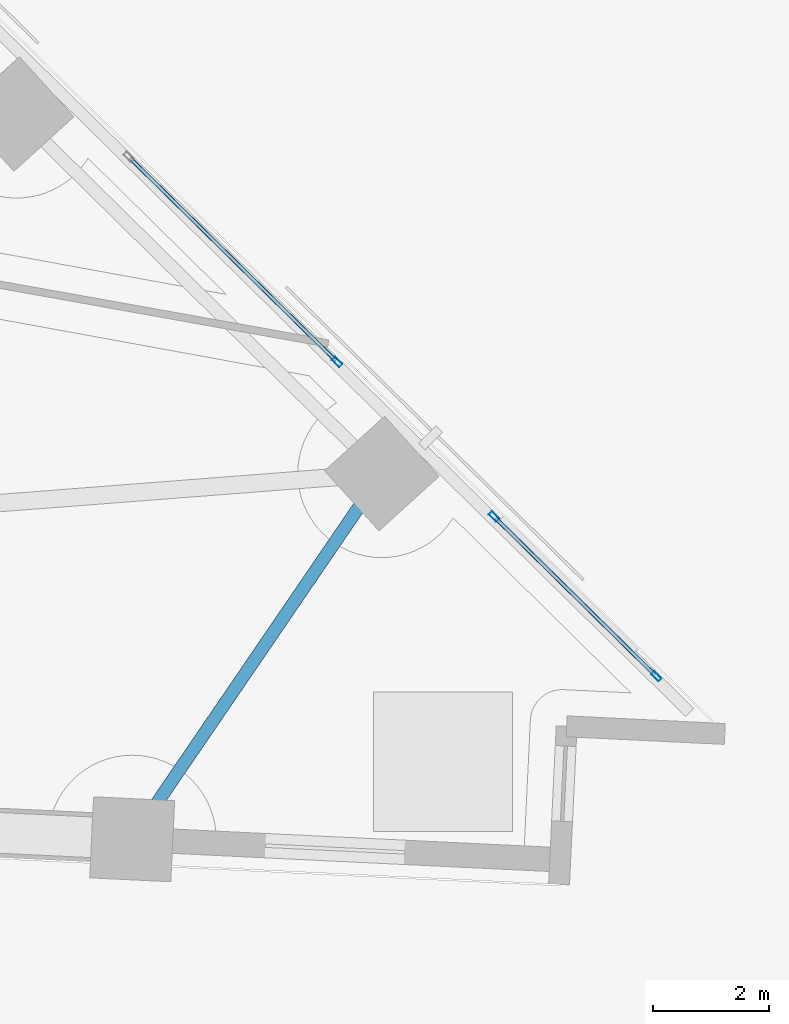
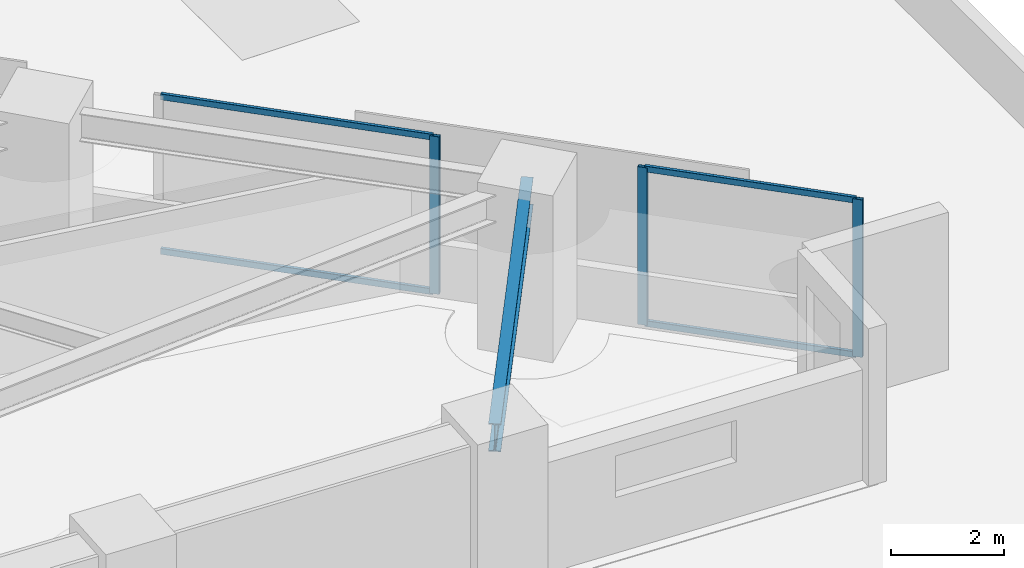
# One storey, part 5 of 19: 7 members, 1 beam, 2 elements without a shape of their own.
"""IFC4 building model written with IfcOpenShell, lengths in metres."""

import ifcopenshell
import ifcopenshell.guid

model = None  # the IFC model being written
_history = None  # IfcOwnerHistory: only IFC2X3 demands one
_inside = {}  # id of a spatial element -> (the spatial element, [elements in it])
_under = {}  # id of a project, library or spatial element -> (it, [spatial elements below it])
_declared = {}  # id of a project -> (the project, [libraries it declares])
_typed = {}  # id of a type object -> (the type object, [elements of that type])
_made_of = {}  # id of a material, layer set ... -> (it, [elements and type objects made of it])


def new_model(schema):
    """Start an empty IFC model of exactly this schema.

    Asked for "IFC4X3", IfcOpenShell would pick the latest addendum, in which some entities
    have other attributes; the version numbers below select the first issue.
    IFC2X3 requires an IfcOwnerHistory on every rooted entity: one is made here for all.
    """
    global model, _history
    if schema == "IFC4X3":
        model = ifcopenshell.file(schema_version=(4, 3, 0, 0))
    else:
        model = ifcopenshell.file(schema=schema)
    _inside.clear()
    _under.clear()
    _declared.clear()
    _typed.clear()
    _made_of.clear()
    _history = None
    if model.schema == "IFC2X3":
        org = make("IfcOrganization", Name="unknown")
        user = make(
            "IfcPersonAndOrganization",
            ThePerson=make("IfcPerson", FamilyName="unknown"),
            TheOrganization=org,
        )
        app = make(
            "IfcApplication",
            ApplicationDeveloper=org,
            Version="unknown",
            ApplicationFullName="unknown",
            ApplicationIdentifier="unknown",
        )
        _history = make(
            "IfcOwnerHistory",
            OwningUser=user,
            OwningApplication=app,
            ChangeAction="ADDED",
            CreationDate=0,
        )
    return model


def make(cls, **values):
    """One entity of the class cls with the attributes given. An attribute that is None is left unset."""
    return model.create_entity(
        cls, **{name: value for name, value in values.items() if value is not None}
    )


def rooted(cls, **values):
    """An entity with a GlobalId (a new one), such as an element, a storey or a relation."""
    return make(cls, GlobalId=ifcopenshell.guid.new(), OwnerHistory=_history, **values)


def si_unit(unit_type, name, prefix=None):
    """IfcSIUnit, for example si_unit("LENGTHUNIT", "METRE", prefix="MILLI")."""
    return make("IfcSIUnit", UnitType=unit_type, Prefix=prefix, Name=name)


def assignment(units):
    """IfcUnitAssignment: the units of a project."""
    return None if units is None else make("IfcUnitAssignment", Units=units)


def point(xyz):
    """IfcCartesianPoint."""
    return None if xyz is None else make("IfcCartesianPoint", Coordinates=xyz)


def direction(xyz):
    """IfcDirection."""
    return None if xyz is None else make("IfcDirection", DirectionRatios=xyz)


def frame(location, z_axis=None, x_axis=None):
    """IfcAxis2Placement3D, a coordinate frame: its origin and axes. An axis left out is left unset."""
    return make(
        "IfcAxis2Placement3D",
        Location=point(location),
        Axis=direction(z_axis),
        RefDirection=direction(x_axis),
    )


def frame_2d(location, x_axis=None):
    """IfcAxis2Placement2D, a coordinate frame in the plane: its origin and x axis."""
    return make(
        "IfcAxis2Placement2D", Location=point(location), RefDirection=direction(x_axis)
    )


def origin():
    """The frame at (0, 0, 0) with its axes left unset."""
    return frame((0.0, 0.0, 0.0))


def origin_2d():
    """The frame at (0, 0) in the plane with its x axis left unset."""
    return frame_2d((0.0, 0.0))


def place(relative_to, where):
    """IfcLocalPlacement: puts the frame where relative to a parent placement (None: the world)."""
    return make(
        "IfcLocalPlacement", PlacementRelTo=relative_to, RelativePlacement=where
    )


def context(
    kind, dimensions, precision=None, world=None, true_north=None, identifier=None
):
    """IfcGeometricRepresentationContext, for example the 3D "Model" context."""
    return make(
        "IfcGeometricRepresentationContext",
        ContextIdentifier=identifier,
        ContextType=kind,
        CoordinateSpaceDimension=dimensions,
        Precision=precision,
        WorldCoordinateSystem=world,
        TrueNorth=true_north,
    )


def subcontext(parent, identifier, kind, view, scale=None):
    """IfcGeometricRepresentationSubContext, for example "Body" below "Model"."""
    return make(
        "IfcGeometricRepresentationSubContext",
        ContextIdentifier=identifier,
        ContextType=kind,
        ParentContext=parent,
        TargetScale=scale,
        TargetView=view,
    )


def project(units=None, contexts=None):
    """IfcProject with its units and contexts."""
    return rooted(
        "IfcProject",
        Name="project",
        RepresentationContexts=contexts,
        UnitsInContext=assignment(units),
    )


def spatial(cls, under=None, at=None, **own):
    """A site, building, storey or space (cls), placed at a placement, below another one or the project."""
    s = rooted(cls, ObjectPlacement=at, **own)
    if under is not None:
        _under.setdefault(under.id(), (under, []))[1].append(s)
    return s


def profile(cls, at=None, kind="AREA", **sizes):
    """A parametric profile (cls). Its sizes go by their IFC names, for example OverallWidth=200.0."""
    return make(cls, ProfileType=kind, Position=at, **sizes)


def hollow_rectangle(**sizes):
    """IfcRectangleHollowProfileDef."""
    return profile("IfcRectangleHollowProfileDef", **sizes)


def i_section(**sizes):
    """IfcIShapeProfileDef."""
    return profile("IfcIShapeProfileDef", **sizes)


def extrude(swept, where, along, depth):
    """IfcExtrudedAreaSolid: the profile swept, set in the frame where, extruded along a direction by depth."""
    return make(
        "IfcExtrudedAreaSolid",
        SweptArea=swept,
        Position=where,
        ExtrudedDirection=direction(along),
        Depth=depth,
    )


def shape(context_of_items, identifier, shape_type, items):
    """IfcShapeRepresentation: the items that make up one representation, for example the "Body"."""
    return make(
        "IfcShapeRepresentation",
        ContextOfItems=context_of_items,
        RepresentationIdentifier=identifier,
        RepresentationType=shape_type,
        Items=items,
    )


def material(Name=None, Category=None):
    """IfcMaterial."""
    return make("IfcMaterial", Name=Name, Category=Category)


def material_profile(
    of_material, cross_section, Name=None, Category=None, Priority=None
):
    """IfcMaterialProfile: a cross section and its material."""
    return make(
        "IfcMaterialProfile",
        Name=Name,
        Material=of_material,
        Profile=cross_section,
        Priority=Priority,
        Category=Category,
    )


def profile_set(profiles, Name=None, composite=None):
    """IfcMaterialProfileSet."""
    return make(
        "IfcMaterialProfileSet",
        Name=Name,
        MaterialProfiles=profiles,
        CompositeProfile=composite,
    )


def made_of(thing, what):
    """Note that an element or type object is made of a material, layer set ...; save() writes the relation."""
    if what is not None:
        _made_of.setdefault(what.id(), (what, []))[1].append(thing)
    return thing


def type_object(cls, material=None, **own):
    """A type object (cls), such as IfcWallType, which elements share."""
    return made_of(rooted(cls, **own), material)


def element(
    cls,
    number,
    at=None,
    inside=None,
    cuts=None,
    type_object=None,
    material=None,
    context=None,
    identifier="Body",
    shape_type=None,
    held_by="IfcProductDefinitionShape",
    body=None,
    shapes=None,
    **own,
):
    """One element of the class cls, such as IfcWall. Its Tag is "e" and its number.

    at: its placement. inside: the storey or other place that contains it. cuts: it is an
    opening in that element (IfcRelVoidsElement). A single representation is given by context,
    identifier, shape_type and body (its items); several are given by shapes. held_by: the class
    of the entity that holds the representations. save() writes the other relations.
    """
    e = rooted(cls, Tag="e%d" % number, ObjectPlacement=at, **own)
    if body is not None:
        shapes = [shape(context, identifier, shape_type, body)]
    if shapes is not None:
        e.Representation = make(held_by, Representations=shapes)
    if inside is not None:
        _inside.setdefault(inside.id(), (inside, []))[1].append(e)
    if cuts is not None:
        rooted(
            "IfcRelVoidsElement", RelatingBuildingElement=cuts, RelatedOpeningElement=e
        )
    if type_object is not None:
        _typed.setdefault(type_object.id(), (type_object, []))[1].append(e)
    return made_of(e, material)


def aggregate(whole, parts):
    """IfcRelAggregates: a whole, such as a stair, and the parts it consists of."""
    return rooted("IfcRelAggregates", RelatingObject=whole, RelatedObjects=parts)


def save(model, path):
    """Write the relations noted so far, then the file.

    IfcRelAggregates (storeys below a building ...), IfcRelContainedInSpatialStructure (elements
    in a storey), IfcRelDefinesByType, IfcRelAssociatesMaterial and IfcRelDeclares: one each for
    every whole, place, type object, material and project.
    """
    for whole, parts in _under.values():
        aggregate(whole, parts)
    for where, things in _inside.values():
        rooted(
            "IfcRelContainedInSpatialStructure",
            RelatedElements=things,
            RelatingStructure=where,
        )
    for kind, things in _typed.values():
        rooted("IfcRelDefinesByType", RelatedObjects=things, RelatingType=kind)
    for what, things in _made_of.values():
        rooted("IfcRelAssociatesMaterial", RelatedObjects=things, RelatingMaterial=what)
    for by, libraries in _declared.values():
        rooted("IfcRelDeclares", RelatingContext=by, RelatedDefinitions=libraries)
    model.write(path)


model = new_model("IFC4")

# Units and contexts
model_context = context("Model", 3, precision=1e-05, world=origin(), true_north=direction((0.0, 1.0)))
body_context = subcontext(model_context, "Body", "Model", "MODEL_VIEW")
ifc_project = project(units=[si_unit("LENGTHUNIT", "METRE"), si_unit("AREAUNIT", "SQUARE_METRE"), si_unit("VOLUMEUNIT", "CUBIC_METRE"), si_unit("PLANEANGLEUNIT", "RADIAN"), si_unit("MASSUNIT", "GRAM", prefix="KILO")], contexts=[model_context])

# Site, building, storey
site_placement = place(None, origin())
site = spatial("IfcSite", under=ifc_project, at=site_placement, CompositionType="ELEMENT")
building_placement = place(site_placement, origin())
building = spatial("IfcBuilding", under=site, at=building_placement, Name="Narakoshi Arena Tower", CompositionType="ELEMENT")
storey_placement = place(building_placement, frame((0.0, 0.0, 26.699951171875)))
storey = spatial("IfcBuildingStorey", under=building, at=storey_placement, Name="L06", CompositionType="ELEMENT", Elevation=26.699951171875)

# Beam
ifc_material_1 = material(Name="Structural steel S355J2", Category="steel")
ifc_material_profile_1 = material_profile(ifc_material_1, i_section(OverallWidth=0.219970703125, OverallDepth=0.60009765625, WebThickness=0.011962890625, FlangeThickness=0.01904296875, FilletRadius=0.02392578125, at=origin_2d()), Name="IPE600")
ifc_profile_set_1 = profile_set([ifc_material_profile_1], Name="Structural steel S355J2")
beam_type = type_object("IfcBeamType", Name="BM-EDGE-600", PredefinedType="BEAM", material=ifc_profile_set_1)
beam_placement = place(storey_placement, frame((110.636474609375, 30.661865234375, 3.10009765625), z_axis=(0.563755333308, 0.825941840668, 0.0), x_axis=(-0.825941840668, 0.563755333308, 0.0)))
element("IfcBeam", 1, at=beam_placement, inside=storey, type_object=beam_type, Name="L06 Perimeter Edge Girder 04", PredefinedType="BEAM", context=body_context, shape_type="SweptSolid", body=[
    extrude(i_section(OverallWidth=0.219970703125, OverallDepth=0.60009765625, WebThickness=0.011962890625, FlangeThickness=0.01904296875, FilletRadius=0.02392578125, at=origin_2d()), origin(), (0.0, 0.0, 1.0), 7.637451171875),
])

# Curtain wall, members
ifc_material_2 = material(Name="Anodised bronze aluminium 6063-T6", Category="aluminium")
curtain_wall_type = type_object("IfcCurtainWallType", Name="CW-HYP-LOW", PredefinedType="NOTDEFINED", material=ifc_material_2)
curtain_wall_1_placement = place(storey_placement, origin())
curtain_wall_1 = element("IfcCurtainWall", 2, at=curtain_wall_1_placement, inside=storey, type_object=curtain_wall_type, Name="L06 Folded Hypotenuse Curtain Wall 1-1", PredefinedType="NOTDEFINED")
ifc_material_profile_2 = material_profile(ifc_material_2, hollow_rectangle(XDim=0.074951171875, YDim=0.179931640625, WallThickness=0.00390625, OuterFilletRadius=0.0048828125, at=origin_2d()), Name="MUL180x75x4")
ifc_profile_set_2 = profile_set([ifc_material_profile_2], Name="Anodised bronze aluminium 6063-T6")
member_type_1 = type_object("IfcMemberType", Name="MEM-MUL-180", PredefinedType="MULLION", material=ifc_profile_set_2)
member_1_placement = place(storey_placement, frame((119.677734375, 33.471923828125, 0.0), z_axis=(0.0, 0.0, 1.0), x_axis=(-0.701630192894, -0.712541277695, 0.0)))
member_1 = element("IfcMember", 3, at=member_1_placement, type_object=member_type_1, Name="CW-01 mullion 1", PredefinedType="MULLION", context=body_context, shape_type="SweptSolid", body=[
    extrude(hollow_rectangle(XDim=0.074951171875, YDim=0.179931640625, WallThickness=0.00390625, OuterFilletRadius=0.0048828125, at=origin_2d()), origin(), (0.0, 0.0, 1.0), 3.400146484375),
])
member_2_placement = place(storey_placement, frame((116.87744140625, 36.229248046875, 0.0), z_axis=(0.0, 0.0, 1.0), x_axis=(-0.701630192894, -0.712541277695, 0.0)))
member_2 = element("IfcMember", 4, at=member_2_placement, type_object=member_type_1, Name="CW-01 mullion 2", PredefinedType="MULLION", context=body_context, shape_type="SweptSolid", body=[
    extrude(hollow_rectangle(XDim=0.074951171875, YDim=0.179931640625, WallThickness=0.00390625, OuterFilletRadius=0.0048828125, at=origin_2d()), origin(), (0.0, 0.0, 1.0), 3.400146484375),
])

# Curtain wall, member
curtain_wall_2_placement = place(storey_placement, origin())
curtain_wall_2 = element("IfcCurtainWall", 5, at=curtain_wall_2_placement, inside=storey, type_object=curtain_wall_type, Name="L06 Folded Hypotenuse Curtain Wall 1-2", PredefinedType="NOTDEFINED")
member_3_placement = place(storey_placement, frame((114.17138671875, 38.893798828125, 0.0), z_axis=(0.0, 0.0, 1.0), x_axis=(-0.701623031404, -0.712548329451, 0.0)))
member_3 = element("IfcMember", 6, at=member_3_placement, type_object=member_type_1, Name="CW-01 mullion 1", PredefinedType="MULLION", context=body_context, shape_type="SweptSolid", body=[
    extrude(hollow_rectangle(XDim=0.074951171875, YDim=0.179931640625, WallThickness=0.00390625, OuterFilletRadius=0.0048828125, at=origin_2d()), origin(), (0.0, 0.0, 1.0), 3.400146484375),
])

# Member
ifc_material_profile_3 = material_profile(ifc_material_2, hollow_rectangle(XDim=0.06494140625, YDim=0.1298828125, WallThickness=0.00390625, OuterFilletRadius=0.0048828125, at=origin_2d()), Name="TRN130x65x4")
ifc_profile_set_3 = profile_set([ifc_material_profile_3], Name="Anodised bronze aluminium 6063-T6")
member_type_2 = type_object("IfcMemberType", Name="MEM-TRN-130", PredefinedType="USERDEFINED", material=ifc_profile_set_3)
member_4_placement = place(storey_placement, frame((119.65087890625, 33.498046875, 0.032470703125), z_axis=(-0.712532234505, 0.701639376596, 0.0), x_axis=(-0.701639376596, -0.712532234505, 0.0)))
member_4 = element("IfcMember", 7, at=member_4_placement, type_object=member_type_2, Name="CW-01 transom 1.1", ObjectType="TRANSOM", PredefinedType="USERDEFINED", context=body_context, shape_type="SweptSolid", body=[
    extrude(hollow_rectangle(XDim=0.06494140625, YDim=0.1298828125, WallThickness=0.00390625, OuterFilletRadius=0.0048828125, at=origin_2d()), origin(), (0.0, 0.0, 1.0), 3.85498046875),
])

member_5_placement = place(storey_placement, frame((119.65087890625, 33.498046875, 3.367431640625), z_axis=(-0.712532234505, 0.701639376596, 0.0), x_axis=(-0.701639376596, -0.712532234505, 0.0)))
member_5 = element("IfcMember", 8, at=member_5_placement, type_object=member_type_2, Name="CW-01 transom 1.2", ObjectType="TRANSOM", PredefinedType="USERDEFINED", context=body_context, shape_type="SweptSolid", body=[
    extrude(hollow_rectangle(XDim=0.06494140625, YDim=0.1298828125, WallThickness=0.00390625, OuterFilletRadius=0.0048828125, at=origin_2d()), origin(), (0.0, 0.0, 1.0), 3.85498046875),
])

aggregate(curtain_wall_1, [member_1, member_2, member_4, member_5])

member_6_placement = place(storey_placement, frame((114.14453125, 38.920166015625, 0.032470703125), z_axis=(-0.712542243067, 0.701629212508, 0.0), x_axis=(-0.701629212508, -0.712542243067, 0.0)))
member_6 = element("IfcMember", 9, at=member_6_placement, type_object=member_type_2, Name="CW-01 transom 1.1", ObjectType="TRANSOM", PredefinedType="USERDEFINED", context=body_context, shape_type="SweptSolid", body=[
    extrude(hollow_rectangle(XDim=0.06494140625, YDim=0.1298828125, WallThickness=0.00390625, OuterFilletRadius=0.0048828125, at=origin_2d()), origin(), (0.0, 0.0, 1.0), 4.966552734375),
])

member_7_placement = place(storey_placement, frame((114.14453125, 38.920166015625, 3.367431640625), z_axis=(-0.712542243067, 0.701629212508, 0.0), x_axis=(-0.701629212508, -0.712542243067, 0.0)))
member_7 = element("IfcMember", 10, at=member_7_placement, type_object=member_type_2, Name="CW-01 transom 1.2", ObjectType="TRANSOM", PredefinedType="USERDEFINED", context=body_context, shape_type="SweptSolid", body=[
    extrude(hollow_rectangle(XDim=0.06494140625, YDim=0.1298828125, WallThickness=0.00390625, OuterFilletRadius=0.0048828125, at=origin_2d()), origin(), (0.0, 0.0, 1.0), 4.966552734375),
])

aggregate(curtain_wall_2, [member_3, member_6, member_7])

save(model, "model.ifc")
